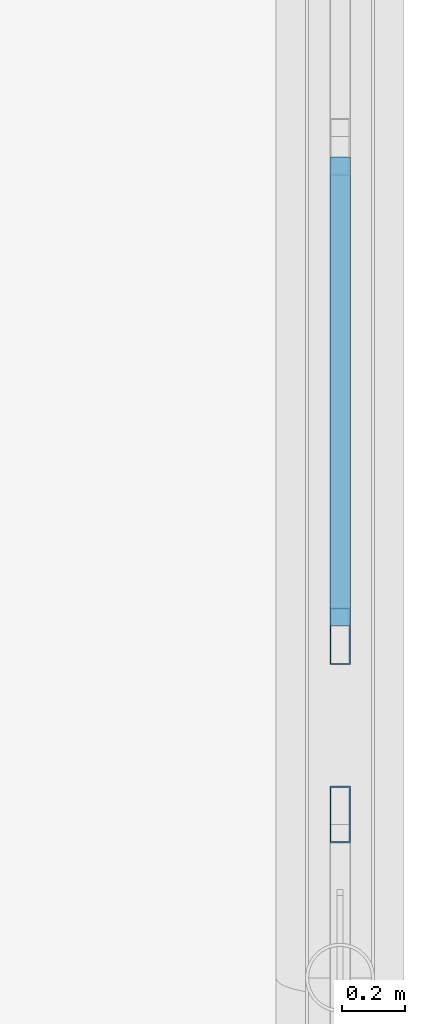
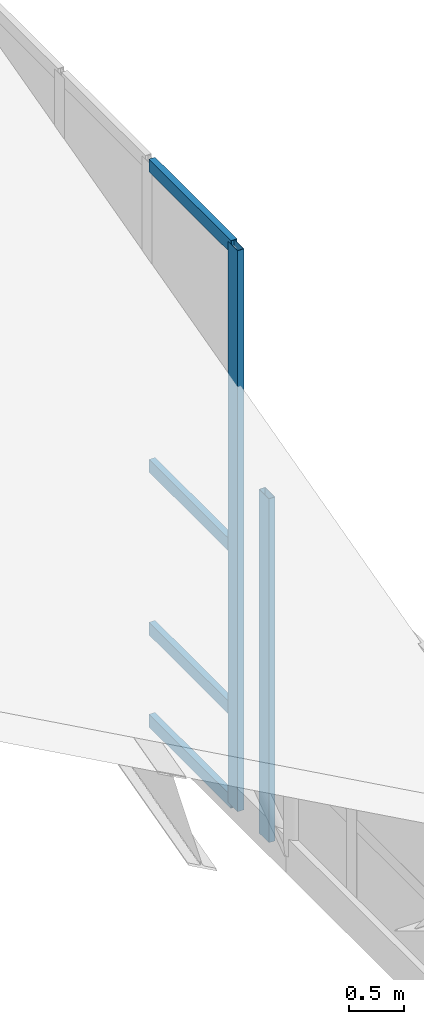
# One storey, part 24 of 43: 6 members, 2 elements without a shape of their own.
"""IFC4 building model written with IfcOpenShell, lengths in metres."""

from ifc_helpers import new_model, si_unit, direction, frame, origin, origin_2d, place, context, subcontext, project, spatial, hollow_rectangle, extrude, material, layer, layer_set, material_profile, profile_set, type_object, element, aggregate, save


model = new_model("IFC4")

# Units and contexts
model_context = context("Model", 3, precision=1e-05, world=origin(), true_north=direction((0.0, 1.0)))
body_context = subcontext(model_context, "Body", "Model", "MODEL_VIEW")
ifc_project = project(units=[si_unit("LENGTHUNIT", "METRE"), si_unit("AREAUNIT", "SQUARE_METRE"), si_unit("VOLUMEUNIT", "CUBIC_METRE"), si_unit("PLANEANGLEUNIT", "RADIAN"), si_unit("MASSUNIT", "GRAM", prefix="KILO")], contexts=[model_context])

# Site, building, storey
site_placement = place(None, origin())
site = spatial("IfcSite", under=ifc_project, at=site_placement, CompositionType="ELEMENT")
building_placement = place(site_placement, origin())
building = spatial("IfcBuilding", under=site, at=building_placement, Name="Selat Folded Stagehouse", CompositionType="ELEMENT")
storey_placement = place(building_placement, frame((0.0, 0.0, 32.39990234375)))
storey = spatial("IfcBuildingStorey", under=building, at=storey_placement, Name="RF", CompositionType="ELEMENT", Elevation=32.39990234375)

# Curtain wall, member
ifc_material = material(Name="Aluminium 6063-T6", Category="aluminium")
ifc_layer = layer(ifc_material, 0.169921875)
ifc_layer_set = layer_set([ifc_layer], Name="Aluminium 6063-T6")
curtain_wall_type = type_object("IfcCurtainWallType", Name="CW-CRN-CLER", PredefinedType="NOTDEFINED", material=ifc_layer_set)
curtain_wall_1_placement = place(storey_placement, origin())
curtain_wall_1 = element("IfcCurtainWall", 1, at=curtain_wall_1_placement, inside=storey, type_object=curtain_wall_type, Name="RF curtain wall CW-RF-E-02", PredefinedType="NOTDEFINED")
ifc_material_profile_1 = material_profile(ifc_material, hollow_rectangle(XDim=0.06494140625, YDim=0.179931640625, WallThickness=0.00390625, at=origin_2d()), Name="ALU 180x65x4.0")
ifc_profile_set_1 = profile_set([ifc_material_profile_1], Name="Aluminium 6063-T6")
member_type_1 = type_object("IfcMemberType", Name="CWM-MUL-180x65", PredefinedType="MULLION", material=ifc_profile_set_1)
member_1_placement = place(storey_placement, frame((67.199951171875, 32.282470703125, 0.0), z_axis=(0.0, 0.0, 1.0), x_axis=(1.0, 0.0, 0.0)))
member_1 = element("IfcMember", 2, at=member_1_placement, type_object=member_type_1, Name="CW-09 mullion 7", PredefinedType="MULLION", context=body_context, shape_type="SweptSolid", body=[
    extrude(hollow_rectangle(XDim=0.06494140625, YDim=0.179931640625, WallThickness=0.00390625, at=origin_2d()), origin(), (0.0, 0.0, 1.0), 6.2001953125),
])

curtain_wall_2_placement = place(storey_placement, origin())
curtain_wall_2 = element("IfcCurtainWall", 3, at=curtain_wall_2_placement, inside=storey, type_object=curtain_wall_type, Name="RF curtain wall CW-RF-E-03", PredefinedType="NOTDEFINED")
member_2_placement = place(storey_placement, frame((67.199951171875, 31.717529296875, 0.0), z_axis=(0.0, 0.0, 1.0), x_axis=(1.0, 0.0, 0.0)))
member_2 = element("IfcMember", 4, at=member_2_placement, type_object=member_type_1, Name="CW-09 mullion 1", PredefinedType="MULLION", context=body_context, shape_type="SweptSolid", body=[
    extrude(hollow_rectangle(XDim=0.06494140625, YDim=0.179931640625, WallThickness=0.00390625, at=origin_2d()), origin(), (0.0, 0.0, 1.0), 3.800048828125),
])
aggregate(curtain_wall_2, [member_2])

# Member
ifc_material_profile_2 = material_profile(ifc_material, hollow_rectangle(XDim=0.06494140625, YDim=0.139892578125, WallThickness=0.00390625, at=origin_2d()), Name="ALU 140x65x4.0")
ifc_profile_set_2 = profile_set([ifc_material_profile_2], Name="Aluminium 6063-T6")
member_type_2 = type_object("IfcMemberType", Name="CWM-TRN-140x65", PredefinedType="USERDEFINED", material=ifc_profile_set_2)
member_3_placement = place(storey_placement, frame((67.199951171875, 33.80078125, 0.03271484375), z_axis=(0.0, -1.0, 0.0), x_axis=(1.0, 0.0, 0.0)))
member_3 = element("IfcMember", 5, at=member_3_placement, type_object=member_type_2, Name="CW-09 transom 6.1", ObjectType="TRANSOM", PredefinedType="USERDEFINED", context=body_context, shape_type="SweptSolid", body=[
    extrude(hollow_rectangle(XDim=0.06494140625, YDim=0.139892578125, WallThickness=0.00390625, at=origin_2d()), origin(), (0.0, 0.0, 1.0), 1.48583984375),
])

member_4_placement = place(storey_placement, frame((67.199951171875, 33.80078125, 1.050048828125), z_axis=(0.0, -1.0, 0.0), x_axis=(1.0, 0.0, 0.0)))
member_4 = element("IfcMember", 6, at=member_4_placement, type_object=member_type_2, Name="CW-09 transom 6.2", ObjectType="TRANSOM", PredefinedType="USERDEFINED", context=body_context, shape_type="SweptSolid", body=[
    extrude(hollow_rectangle(XDim=0.06494140625, YDim=0.139892578125, WallThickness=0.00390625, at=origin_2d()), origin(), (0.0, 0.0, 1.0), 1.48583984375),
])

member_5_placement = place(storey_placement, frame((67.199951171875, 33.80078125, 2.85009765625), z_axis=(0.0, -1.0, 0.0), x_axis=(1.0, 0.0, 0.0)))
member_5 = element("IfcMember", 7, at=member_5_placement, type_object=member_type_2, Name="CW-09 transom 6.3", ObjectType="TRANSOM", PredefinedType="USERDEFINED", context=body_context, shape_type="SweptSolid", body=[
    extrude(hollow_rectangle(XDim=0.06494140625, YDim=0.139892578125, WallThickness=0.00390625, at=origin_2d()), origin(), (0.0, 0.0, 1.0), 1.48583984375),
])

member_6_placement = place(storey_placement, frame((67.199951171875, 33.80078125, 6.16748046875), z_axis=(0.0, -1.0, 0.0), x_axis=(1.0, 0.0, 0.0)))
member_6 = element("IfcMember", 8, at=member_6_placement, type_object=member_type_2, Name="CW-09 transom 6.4", ObjectType="TRANSOM", PredefinedType="USERDEFINED", context=body_context, shape_type="SweptSolid", body=[
    extrude(hollow_rectangle(XDim=0.06494140625, YDim=0.139892578125, WallThickness=0.00390625, at=origin_2d()), origin(), (0.0, 0.0, 1.0), 1.48583984375),
])

aggregate(curtain_wall_1, [member_1, member_3, member_4, member_5, member_6])

save(model, "model.ifc")
